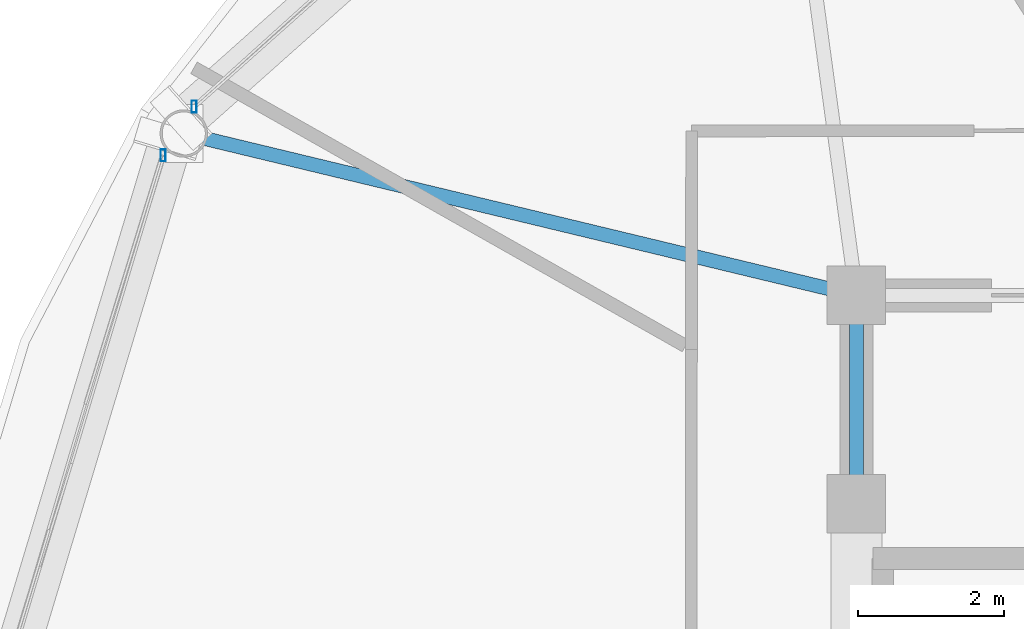
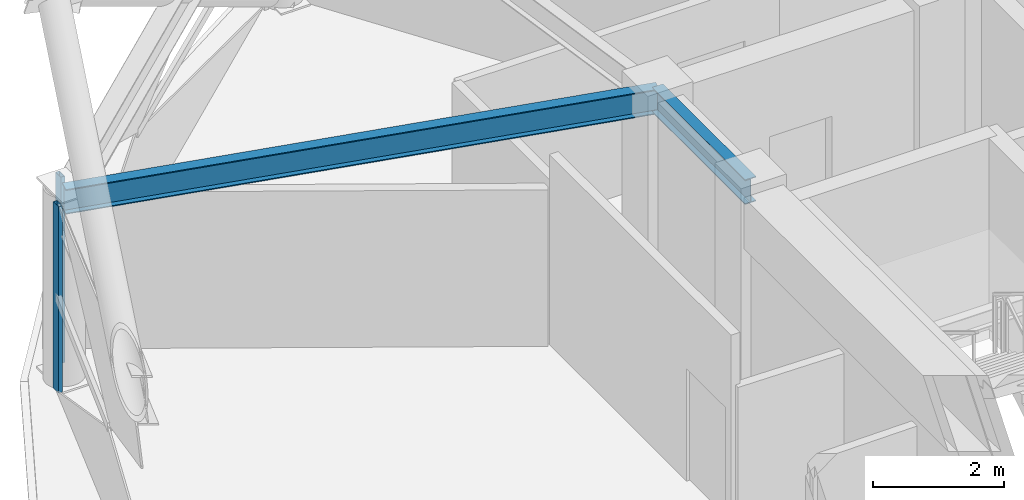
# One storey, part 9 of 28: 2 beams, 2 members, 2 elements without a shape of their own.
"""IFC4 building model written with IfcOpenShell, lengths in metres."""

from ifc_helpers import new_model, si_unit, direction, frame, origin, origin_2d, place, context, subcontext, project, spatial, hollow_rectangle, i_section, extrude, material, layer, layer_set, material_profile, profile_set, type_object, element, aggregate, save


model = new_model("IFC4")

# Units and contexts
model_context = context("Model", 3, precision=1e-05, world=origin(), true_north=direction((0.0, 1.0)))
body_context = subcontext(model_context, "Body", "Model", "MODEL_VIEW")
ifc_project = project(units=[si_unit("LENGTHUNIT", "METRE"), si_unit("AREAUNIT", "SQUARE_METRE"), si_unit("VOLUMEUNIT", "CUBIC_METRE"), si_unit("PLANEANGLEUNIT", "RADIAN"), si_unit("MASSUNIT", "GRAM", prefix="KILO")], contexts=[model_context])

# Site, building, storey
site_placement = place(None, origin())
site = spatial("IfcSite", under=ifc_project, at=site_placement, CompositionType="ELEMENT")
building_placement = place(site_placement, origin())
building = spatial("IfcBuilding", under=site, at=building_placement, Name="Vantalir Tower", CompositionType="ELEMENT")
storey_placement = place(building_placement, frame((0.0, 0.0, 242.39990234375)))
storey = spatial("IfcBuildingStorey", under=building, at=storey_placement, Name="L61", CompositionType="ELEMENT", Elevation=242.39990234375)

# Beams
ifc_material_1 = material(Name="Steel S355", Category="steel")
ifc_material_profile_1 = material_profile(ifc_material_1, i_section(OverallWidth=0.19189453125, OverallDepth=0.462890625, WebThickness=0.010498046875, FlangeThickness=0.017578125, at=origin_2d()), Name="Steel S355")
ifc_profile_set_1 = profile_set([ifc_material_profile_1], Name="Steel S355")
beam_type = type_object("IfcBeamType", Name="BM-RB-457x191", PredefinedType="BEAM", material=ifc_profile_set_1)
beam_1_placement = place(storey_placement, frame((21.89990234375, 32.449951171875, 3.338134765625), z_axis=(0.0, -1.0, 0.0), x_axis=(1.0, 0.0, 0.0)))
element("IfcBeam", 1, at=beam_1_placement, inside=storey, type_object=beam_type, Name="L61 Core Coupling Girder 12", PredefinedType="BEAM", context=body_context, shape_type="SweptSolid", body=[
    extrude(i_section(OverallWidth=0.19189453125, OverallDepth=0.462890625, WebThickness=0.010498046875, FlangeThickness=0.017578125, at=origin_2d()), origin(), (0.0, 0.0, 1.0), 2.849853515625),
])
beam_2_placement = place(storey_placement, frame((12.69189453125, 34.666015625, 3.338134765625), z_axis=(0.972239928785, -0.233986155308, 0.0), x_axis=(0.233986155308, 0.972239928785, 0.0)))
element("IfcBeam", 2, at=beam_2_placement, inside=storey, type_object=beam_type, Name="L61 Radial Floor Beam 06", PredefinedType="BEAM", context=body_context, shape_type="SweptSolid", body=[
    extrude(i_section(OverallWidth=0.19189453125, OverallDepth=0.462890625, WebThickness=0.010498046875, FlangeThickness=0.017578125, at=origin_2d()), origin(), (0.0, 0.0, 1.0), 9.470947265625),
])

# Curtain wall, member
ifc_material_2 = material(Name="Champagne-silver PVDF aluminium and double-silver Low-E glass", Category="aluminium")
ifc_layer = layer(ifc_material_2, 0.2099609375)
ifc_layer_set = layer_set([ifc_layer], Name="Champagne-silver PVDF aluminium and double-silver Low-E glass")
curtain_wall_type = type_object("IfcCurtainWallType", Name="CW-DIAMOND-Z3", PredefinedType="USERDEFINED", material=ifc_layer_set)
curtain_wall_1_placement = place(storey_placement, origin())
curtain_wall_1 = element("IfcCurtainWall", 3, at=curtain_wall_1_placement, inside=storey, type_object=curtain_wall_type, Name="L61 Quilted Pyramid-Diamond Curtain Wall S05", ObjectType="UNITISED CURTAIN WALL", PredefinedType="USERDEFINED")
ifc_material_3 = material(Name="Champagne-silver PVDF aluminium 6063-T6", Category="aluminium")
ifc_material_profile_2 = material_profile(ifc_material_3, hollow_rectangle(XDim=0.070068359375, YDim=0.1650390625, WallThickness=0.00390625, at=origin_2d()), Name="Champagne-silver PVDF aluminium 6063-T6")
ifc_profile_set_2 = profile_set([ifc_material_profile_2], Name="Champagne-silver PVDF aluminium 6063-T6")
member_type = type_object("IfcMemberType", Name="CWM-165x70", PredefinedType="MULLION", material=ifc_profile_set_2)
member_1_placement = place(storey_placement, frame((12.8330078125, 35.033935546875, 0.045166015625), z_axis=(0.0, 0.0, 1.0), x_axis=(1.0, 0.0, 0.0)))
member_1 = element("IfcMember", 4, at=member_1_placement, type_object=member_type, Name="CW-L61-S05 Mullion 2", PredefinedType="MULLION", context=body_context, shape_type="SweptSolid", body=[
    extrude(hollow_rectangle(XDim=0.070068359375, YDim=0.1650390625, WallThickness=0.00390625, at=origin_2d()), origin(), (0.0, 0.0, 1.0), 3.47998046875),
])
aggregate(curtain_wall_1, [member_1])

curtain_wall_2_placement = place(storey_placement, origin())
curtain_wall_2 = element("IfcCurtainWall", 5, at=curtain_wall_2_placement, inside=storey, type_object=curtain_wall_type, Name="L61 Quilted Pyramid-Diamond Curtain Wall S06", ObjectType="UNITISED CURTAIN WALL", PredefinedType="USERDEFINED")
member_2_placement = place(storey_placement, frame((12.408935546875, 34.367919921875, 0.045166015625), z_axis=(0.0, 0.0, 1.0), x_axis=(1.0, 0.0, 0.0)))
member_2 = element("IfcMember", 6, at=member_2_placement, type_object=member_type, Name="CW-L61-S06 Mullion 1", PredefinedType="MULLION", context=body_context, shape_type="SweptSolid", body=[
    extrude(hollow_rectangle(XDim=0.070068359375, YDim=0.1650390625, WallThickness=0.00390625, at=origin_2d()), origin(), (0.0, 0.0, 1.0), 3.47998046875),
])
aggregate(curtain_wall_2, [member_2])

save(model, "model.ifc")
